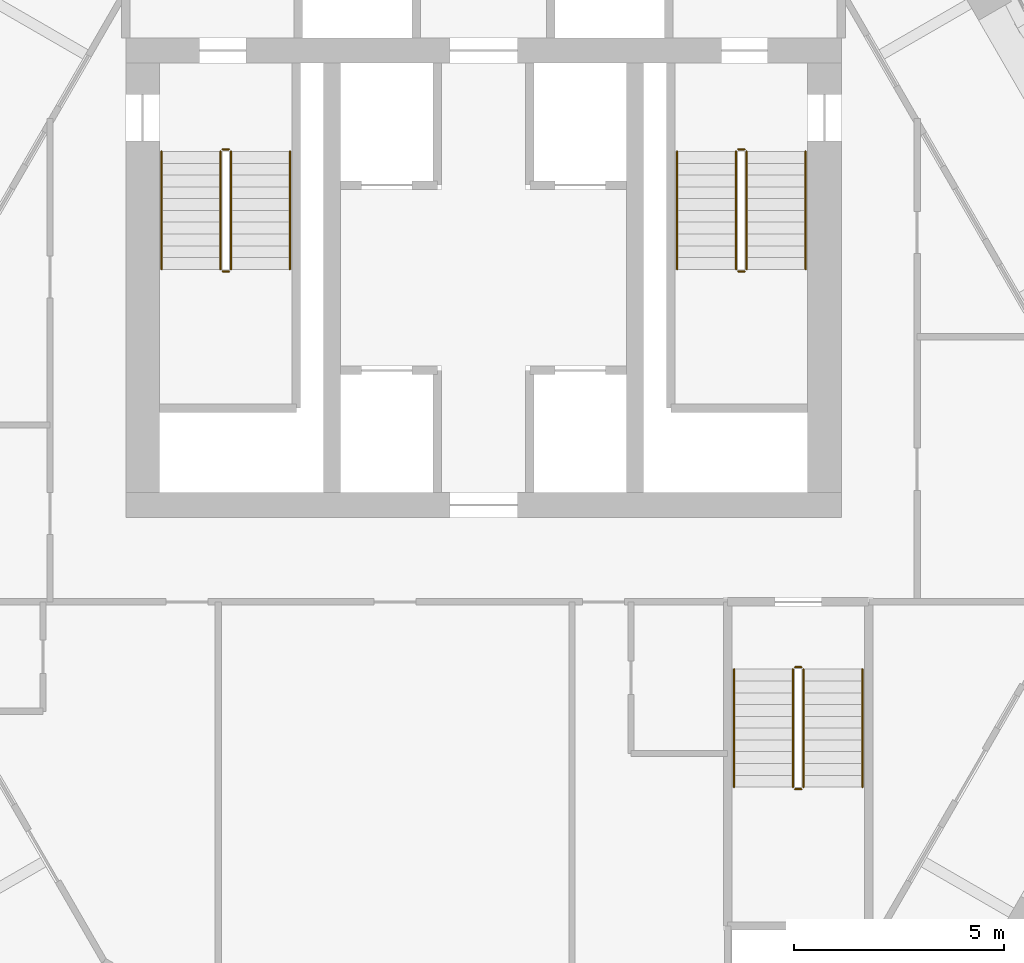
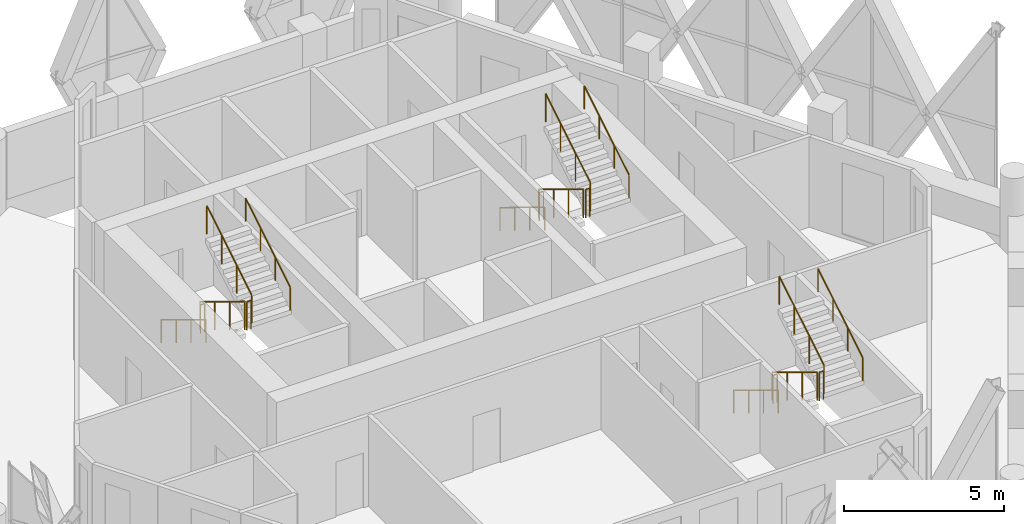
# One storey, part 27 of 27: 18 railings.
"""IFC4 building model written with IfcOpenShell, lengths in metres."""

from ifc_helpers import new_model, si_unit, direction, frame, origin, origin_2d, place, context, subcontext, project, spatial, circle, extrude, material, type_object, element, save


model = new_model("IFC4")

# Units and contexts
model_context = context("Model", 3, precision=1e-05, world=origin(), true_north=direction((0.0, 1.0)))
body_context = subcontext(model_context, "Body", "Model", "MODEL_VIEW")
ifc_project = project(units=[si_unit("LENGTHUNIT", "METRE"), si_unit("AREAUNIT", "SQUARE_METRE"), si_unit("VOLUMEUNIT", "CUBIC_METRE"), si_unit("PLANEANGLEUNIT", "RADIAN"), si_unit("MASSUNIT", "GRAM", prefix="KILO")], contexts=[model_context])

# Site, building, storey
site_placement = place(None, origin())
site = spatial("IfcSite", under=ifc_project, at=site_placement, CompositionType="ELEMENT")
building_placement = place(site_placement, origin())
building = spatial("IfcBuilding", under=site, at=building_placement, Name="Ostrander Bayou Hotel Tower", CompositionType="ELEMENT")
storey_placement = place(building_placement, frame((0.0, 0.0, 267.5)))
storey = spatial("IfcBuildingStorey", under=building, at=storey_placement, Name="L66", CompositionType="ELEMENT", Elevation=267.5)

# Railings
ifc_material_1 = material(Name="Steel ASTM A500 Gr C", Category="steel")
railing_type_1 = type_object("IfcRailingType", Name="GR1 stair guard 1100 mm steel", PredefinedType="GUARDRAIL", material=ifc_material_1)
railing_1_placement = place(storey_placement, frame((-6.25, 7.0, 0.17041015625)))
element("IfcRailing", 1, at=railing_1_placement, inside=storey, type_object=railing_type_1, Name="L66 STA stair guard 1", PredefinedType="GUARDRAIL", context=body_context, shape_type="SweptSolid", body=[
    extrude(circle(Radius=0.02392578125, at=origin_2d()), frame((0.0, 0.0, 1.076171875), z_axis=(0.0, -0.854169791009, 0.51999420009), x_axis=(1.0, 0.0, 0.0)), (0.0, 0.0, 1.0), 3.278076171875),
    extrude(circle(Radius=0.02099609375, at=origin_2d()), origin(), (0.0, 0.0, 1.0), 1.052001953125),
    extrude(circle(Radius=0.02099609375, at=origin_2d()), frame((0.0, -0.933349609375, 0.568115234375)), (0.0, 0.0, 1.0), 1.052001953125),
    extrude(circle(Radius=0.02099609375, at=origin_2d()), frame((0.0, -1.86669921875, 1.136474609375)), (0.0, 0.0, 1.0), 1.052001953125),
    extrude(circle(Radius=0.02099609375, at=origin_2d()), frame((0.0, -2.800048828125, 1.70458984375)), (0.0, 0.0, 1.0), 1.052001953125),
])
railing_2_placement = place(storey_placement, frame((-6.199951171875, 4.14990234375, 1.875)))
element("IfcRailing", 2, at=railing_2_placement, inside=storey, type_object=railing_type_1, Name="L66 STA stair guard 2", PredefinedType="GUARDRAIL", context=body_context, shape_type="SweptSolid", body=[
    extrude(circle(Radius=0.02392578125, at=origin_2d()), frame((0.0, 0.0, 1.076171875), z_axis=(1.0, 0.0, 0.0), x_axis=(0.0, 1.0, 0.0)), (0.0, 0.0, 1.0), 0.14990234375),
    extrude(circle(Radius=0.02099609375, at=origin_2d()), origin(), (0.0, 0.0, 1.0), 1.052001953125),
    extrude(circle(Radius=0.02099609375, at=origin_2d()), frame((0.14990234375, 0.0, 0.0)), (0.0, 0.0, 1.0), 1.052001953125),
])
railing_3_placement = place(storey_placement, frame((-6.0, 4.199951171875, 2.04541015625)))
element("IfcRailing", 3, at=railing_3_placement, inside=storey, type_object=railing_type_1, Name="L66 STA stair guard 3", PredefinedType="GUARDRAIL", context=body_context, shape_type="SweptSolid", body=[
    extrude(circle(Radius=0.02392578125, at=origin_2d()), frame((0.0, 0.0, 1.076171875), z_axis=(0.0, 0.854169791009, 0.51999420009), x_axis=(-1.0, 0.0, 0.0)), (0.0, 0.0, 1.0), 3.278076171875),
    extrude(circle(Radius=0.02099609375, at=origin_2d()), origin(), (0.0, 0.0, 1.0), 1.052001953125),
    extrude(circle(Radius=0.02099609375, at=origin_2d()), frame((0.0, 0.933349609375, 0.568115234375)), (0.0, 0.0, 1.0), 1.052001953125),
    extrude(circle(Radius=0.02099609375, at=origin_2d()), frame((0.0, 1.86669921875, 1.136474609375)), (0.0, 0.0, 1.0), 1.052001953125),
    extrude(circle(Radius=0.02099609375, at=origin_2d()), frame((0.0, 2.800048828125, 1.70458984375)), (0.0, 0.0, 1.0), 1.052001953125),
])
railing_4_placement = place(storey_placement, frame((-6.199951171875, 7.050048828125, 0.0)))
element("IfcRailing", 4, at=railing_4_placement, inside=storey, type_object=railing_type_1, Name="L66 STA stair guard 4", PredefinedType="GUARDRAIL", context=body_context, shape_type="SweptSolid", body=[
    extrude(circle(Radius=0.02392578125, at=origin_2d()), frame((0.0, 0.0, 1.076171875), z_axis=(1.0, 0.0, 0.0), x_axis=(0.0, 1.0, 0.0)), (0.0, 0.0, 1.0), 0.14990234375),
    extrude(circle(Radius=0.02099609375, at=origin_2d()), origin(), (0.0, 0.0, 1.0), 1.052001953125),
    extrude(circle(Radius=0.02099609375, at=origin_2d()), frame((0.14990234375, 0.0, 0.0)), (0.0, 0.0, 1.0), 1.052001953125),
])
railing_5_placement = place(storey_placement, frame((6.0, 7.0, 0.17041015625)))
element("IfcRailing", 5, at=railing_5_placement, inside=storey, type_object=railing_type_1, Name="L66 STB stair guard 1", PredefinedType="GUARDRAIL", context=body_context, shape_type="SweptSolid", body=[
    extrude(circle(Radius=0.02392578125, at=origin_2d()), frame((0.0, 0.0, 1.076171875), z_axis=(0.0, -0.854169791009, 0.51999420009), x_axis=(1.0, 0.0, 0.0)), (0.0, 0.0, 1.0), 3.278076171875),
    extrude(circle(Radius=0.02099609375, at=origin_2d()), origin(), (0.0, 0.0, 1.0), 1.052001953125),
    extrude(circle(Radius=0.02099609375, at=origin_2d()), frame((0.0, -0.933349609375, 0.568115234375)), (0.0, 0.0, 1.0), 1.052001953125),
    extrude(circle(Radius=0.02099609375, at=origin_2d()), frame((0.0, -1.86669921875, 1.136474609375)), (0.0, 0.0, 1.0), 1.052001953125),
    extrude(circle(Radius=0.02099609375, at=origin_2d()), frame((0.0, -2.800048828125, 1.70458984375)), (0.0, 0.0, 1.0), 1.052001953125),
])
railing_6_placement = place(storey_placement, frame((6.050048828125, 4.14990234375, 1.875)))
element("IfcRailing", 6, at=railing_6_placement, inside=storey, type_object=railing_type_1, Name="L66 STB stair guard 2", PredefinedType="GUARDRAIL", context=body_context, shape_type="SweptSolid", body=[
    extrude(circle(Radius=0.02392578125, at=origin_2d()), frame((0.0, 0.0, 1.076171875), z_axis=(1.0, 0.0, 0.0), x_axis=(0.0, 1.0, 0.0)), (0.0, 0.0, 1.0), 0.14990234375),
    extrude(circle(Radius=0.02099609375, at=origin_2d()), origin(), (0.0, 0.0, 1.0), 1.052001953125),
    extrude(circle(Radius=0.02099609375, at=origin_2d()), frame((0.14990234375, 0.0, 0.0)), (0.0, 0.0, 1.0), 1.052001953125),
])
railing_7_placement = place(storey_placement, frame((6.25, 4.199951171875, 2.04541015625)))
element("IfcRailing", 7, at=railing_7_placement, inside=storey, type_object=railing_type_1, Name="L66 STB stair guard 3", PredefinedType="GUARDRAIL", context=body_context, shape_type="SweptSolid", body=[
    extrude(circle(Radius=0.02392578125, at=origin_2d()), frame((0.0, 0.0, 1.076171875), z_axis=(0.0, 0.854169791009, 0.51999420009), x_axis=(-1.0, 0.0, 0.0)), (0.0, 0.0, 1.0), 3.278076171875),
    extrude(circle(Radius=0.02099609375, at=origin_2d()), origin(), (0.0, 0.0, 1.0), 1.052001953125),
    extrude(circle(Radius=0.02099609375, at=origin_2d()), frame((0.0, 0.933349609375, 0.568115234375)), (0.0, 0.0, 1.0), 1.052001953125),
    extrude(circle(Radius=0.02099609375, at=origin_2d()), frame((0.0, 1.86669921875, 1.136474609375)), (0.0, 0.0, 1.0), 1.052001953125),
    extrude(circle(Radius=0.02099609375, at=origin_2d()), frame((0.0, 2.800048828125, 1.70458984375)), (0.0, 0.0, 1.0), 1.052001953125),
])
railing_8_placement = place(storey_placement, frame((6.050048828125, 7.050048828125, 0.0)))
element("IfcRailing", 8, at=railing_8_placement, inside=storey, type_object=railing_type_1, Name="L66 STB stair guard 4", PredefinedType="GUARDRAIL", context=body_context, shape_type="SweptSolid", body=[
    extrude(circle(Radius=0.02392578125, at=origin_2d()), frame((0.0, 0.0, 1.076171875), z_axis=(1.0, 0.0, 0.0), x_axis=(0.0, 1.0, 0.0)), (0.0, 0.0, 1.0), 0.14990234375),
    extrude(circle(Radius=0.02099609375, at=origin_2d()), origin(), (0.0, 0.0, 1.0), 1.052001953125),
    extrude(circle(Radius=0.02099609375, at=origin_2d()), frame((0.14990234375, 0.0, 0.0)), (0.0, 0.0, 1.0), 1.052001953125),
])
railing_9_placement = place(storey_placement, frame((7.35009765625, -5.300048828125, 0.17041015625)))
element("IfcRailing", 9, at=railing_9_placement, inside=storey, type_object=railing_type_1, Name="L66 STC stair guard 1", PredefinedType="GUARDRAIL", context=body_context, shape_type="SweptSolid", body=[
    extrude(circle(Radius=0.02392578125, at=origin_2d()), frame((0.0, 0.0, 1.076171875), z_axis=(0.0, -0.854169791009, 0.51999420009), x_axis=(1.0, 0.0, 0.0)), (0.0, 0.0, 1.0), 3.278076171875),
    extrude(circle(Radius=0.02099609375, at=origin_2d()), origin(), (0.0, 0.0, 1.0), 1.052001953125),
    extrude(circle(Radius=0.02099609375, at=origin_2d()), frame((0.0, -0.933349609375, 0.568115234375)), (0.0, 0.0, 1.0), 1.052001953125),
    extrude(circle(Radius=0.02099609375, at=origin_2d()), frame((0.0, -1.86669921875, 1.136474609375)), (0.0, 0.0, 1.0), 1.052001953125),
    extrude(circle(Radius=0.02099609375, at=origin_2d()), frame((0.0, -2.800048828125, 1.70458984375)), (0.0, 0.0, 1.0), 1.052001953125),
])
railing_10_placement = place(storey_placement, frame((7.39990234375, -8.14990234375, 1.875)))
element("IfcRailing", 10, at=railing_10_placement, inside=storey, type_object=railing_type_1, Name="L66 STC stair guard 2", PredefinedType="GUARDRAIL", context=body_context, shape_type="SweptSolid", body=[
    extrude(circle(Radius=0.02392578125, at=origin_2d()), frame((0.0, 0.0, 1.076171875), z_axis=(1.0, 0.0, 0.0), x_axis=(0.0, 1.0, 0.0)), (0.0, 0.0, 1.0), 0.150146484375),
    extrude(circle(Radius=0.02099609375, at=origin_2d()), origin(), (0.0, 0.0, 1.0), 1.052001953125),
    extrude(circle(Radius=0.02099609375, at=origin_2d()), frame((0.150146484375, 0.0, 0.0)), (0.0, 0.0, 1.0), 1.052001953125),
])
railing_11_placement = place(storey_placement, frame((7.60009765625, -8.10009765625, 2.04541015625)))
element("IfcRailing", 11, at=railing_11_placement, inside=storey, type_object=railing_type_1, Name="L66 STC stair guard 3", PredefinedType="GUARDRAIL", context=body_context, shape_type="SweptSolid", body=[
    extrude(circle(Radius=0.02392578125, at=origin_2d()), frame((0.0, 0.0, 1.076171875), z_axis=(0.0, 0.854169791009, 0.51999420009), x_axis=(-1.0, 0.0, 0.0)), (0.0, 0.0, 1.0), 3.278076171875),
    extrude(circle(Radius=0.02099609375, at=origin_2d()), origin(), (0.0, 0.0, 1.0), 1.052001953125),
    extrude(circle(Radius=0.02099609375, at=origin_2d()), frame((0.0, 0.933349609375, 0.568115234375)), (0.0, 0.0, 1.0), 1.052001953125),
    extrude(circle(Radius=0.02099609375, at=origin_2d()), frame((0.0, 1.86669921875, 1.136474609375)), (0.0, 0.0, 1.0), 1.052001953125),
    extrude(circle(Radius=0.02099609375, at=origin_2d()), frame((0.0, 2.800048828125, 1.70458984375)), (0.0, 0.0, 1.0), 1.052001953125),
])
railing_12_placement = place(storey_placement, frame((7.39990234375, -5.25, 0.0)))
element("IfcRailing", 12, at=railing_12_placement, inside=storey, type_object=railing_type_1, Name="L66 STC stair guard 4", PredefinedType="GUARDRAIL", context=body_context, shape_type="SweptSolid", body=[
    extrude(circle(Radius=0.02392578125, at=origin_2d()), frame((0.0, 0.0, 1.076171875), z_axis=(1.0, 0.0, 0.0), x_axis=(0.0, 1.0, 0.0)), (0.0, 0.0, 1.0), 0.150146484375),
    extrude(circle(Radius=0.02099609375, at=origin_2d()), origin(), (0.0, 0.0, 1.0), 1.052001953125),
    extrude(circle(Radius=0.02099609375, at=origin_2d()), frame((0.150146484375, 0.0, 0.0)), (0.0, 0.0, 1.0), 1.052001953125),
])
ifc_material_2 = material(Name="Steel ASTM A500 Gr C", Category="steel")
railing_type_2 = type_object("IfcRailingType", Name="HR1 stair handrail 900 mm steel", PredefinedType="HANDRAIL", material=ifc_material_2)
railing_13_placement = place(storey_placement, frame((-7.64990234375, 7.0, 0.17041015625)))
element("IfcRailing", 13, at=railing_13_placement, inside=storey, type_object=railing_type_2, Name="L66 STA stair handrail 1", PredefinedType="HANDRAIL", context=body_context, shape_type="SweptSolid", body=[
    extrude(circle(Radius=0.02392578125, at=origin_2d()), frame((0.0, 0.0, 0.8759765625), z_axis=(0.0, -0.854169791009, 0.51999420009), x_axis=(1.0, 0.0, 0.0)), (0.0, 0.0, 1.0), 3.278076171875),
    extrude(circle(Radius=0.02099609375, at=origin_2d()), origin(), (0.0, 0.0, 1.0), 0.851806640625),
    extrude(circle(Radius=0.02099609375, at=origin_2d()), frame((0.0, -0.933349609375, 0.568115234375)), (0.0, 0.0, 1.0), 0.851806640625),
    extrude(circle(Radius=0.02099609375, at=origin_2d()), frame((0.0, -1.86669921875, 1.136474609375)), (0.0, 0.0, 1.0), 0.851806640625),
    extrude(circle(Radius=0.02099609375, at=origin_2d()), frame((0.0, -2.800048828125, 1.70458984375)), (0.0, 0.0, 1.0), 0.851806640625),
])
railing_14_placement = place(storey_placement, frame((-4.60009765625, 4.199951171875, 2.04541015625)))
element("IfcRailing", 14, at=railing_14_placement, inside=storey, type_object=railing_type_2, Name="L66 STA stair handrail 2", PredefinedType="HANDRAIL", context=body_context, shape_type="SweptSolid", body=[
    extrude(circle(Radius=0.02392578125, at=origin_2d()), frame((0.0, 0.0, 0.8759765625), z_axis=(0.0, 0.854169791009, 0.51999420009), x_axis=(-1.0, 0.0, 0.0)), (0.0, 0.0, 1.0), 3.278076171875),
    extrude(circle(Radius=0.02099609375, at=origin_2d()), origin(), (0.0, 0.0, 1.0), 0.851806640625),
    extrude(circle(Radius=0.02099609375, at=origin_2d()), frame((0.0, 0.933349609375, 0.568115234375)), (0.0, 0.0, 1.0), 0.851806640625),
    extrude(circle(Radius=0.02099609375, at=origin_2d()), frame((0.0, 1.86669921875, 1.136474609375)), (0.0, 0.0, 1.0), 0.851806640625),
    extrude(circle(Radius=0.02099609375, at=origin_2d()), frame((0.0, 2.800048828125, 1.70458984375)), (0.0, 0.0, 1.0), 0.851806640625),
])
railing_15_placement = place(storey_placement, frame((4.60009765625, 7.0, 0.17041015625)))
element("IfcRailing", 15, at=railing_15_placement, inside=storey, type_object=railing_type_2, Name="L66 STB stair handrail 1", PredefinedType="HANDRAIL", context=body_context, shape_type="SweptSolid", body=[
    extrude(circle(Radius=0.02392578125, at=origin_2d()), frame((0.0, 0.0, 0.8759765625), z_axis=(0.0, -0.854169791009, 0.51999420009), x_axis=(1.0, 0.0, 0.0)), (0.0, 0.0, 1.0), 3.278076171875),
    extrude(circle(Radius=0.02099609375, at=origin_2d()), origin(), (0.0, 0.0, 1.0), 0.851806640625),
    extrude(circle(Radius=0.02099609375, at=origin_2d()), frame((0.0, -0.933349609375, 0.568115234375)), (0.0, 0.0, 1.0), 0.851806640625),
    extrude(circle(Radius=0.02099609375, at=origin_2d()), frame((0.0, -1.86669921875, 1.136474609375)), (0.0, 0.0, 1.0), 0.851806640625),
    extrude(circle(Radius=0.02099609375, at=origin_2d()), frame((0.0, -2.800048828125, 1.70458984375)), (0.0, 0.0, 1.0), 0.851806640625),
])
railing_16_placement = place(storey_placement, frame((7.64990234375, 4.199951171875, 2.04541015625)))
element("IfcRailing", 16, at=railing_16_placement, inside=storey, type_object=railing_type_2, Name="L66 STB stair handrail 2", PredefinedType="HANDRAIL", context=body_context, shape_type="SweptSolid", body=[
    extrude(circle(Radius=0.02392578125, at=origin_2d()), frame((0.0, 0.0, 0.8759765625), z_axis=(0.0, 0.854169791009, 0.51999420009), x_axis=(-1.0, 0.0, 0.0)), (0.0, 0.0, 1.0), 3.278076171875),
    extrude(circle(Radius=0.02099609375, at=origin_2d()), origin(), (0.0, 0.0, 1.0), 0.851806640625),
    extrude(circle(Radius=0.02099609375, at=origin_2d()), frame((0.0, 0.933349609375, 0.568115234375)), (0.0, 0.0, 1.0), 0.851806640625),
    extrude(circle(Radius=0.02099609375, at=origin_2d()), frame((0.0, 1.86669921875, 1.136474609375)), (0.0, 0.0, 1.0), 0.851806640625),
    extrude(circle(Radius=0.02099609375, at=origin_2d()), frame((0.0, 2.800048828125, 1.70458984375)), (0.0, 0.0, 1.0), 0.851806640625),
])
railing_17_placement = place(storey_placement, frame((5.949951171875, -5.300048828125, 0.17041015625)))
element("IfcRailing", 17, at=railing_17_placement, inside=storey, type_object=railing_type_2, Name="L66 STC stair handrail 1", PredefinedType="HANDRAIL", context=body_context, shape_type="SweptSolid", body=[
    extrude(circle(Radius=0.02392578125, at=origin_2d()), frame((0.0, 0.0, 0.8759765625), z_axis=(0.0, -0.854169791009, 0.51999420009), x_axis=(1.0, 0.0, 0.0)), (0.0, 0.0, 1.0), 3.278076171875),
    extrude(circle(Radius=0.02099609375, at=origin_2d()), origin(), (0.0, 0.0, 1.0), 0.851806640625),
    extrude(circle(Radius=0.02099609375, at=origin_2d()), frame((0.0, -0.933349609375, 0.568115234375)), (0.0, 0.0, 1.0), 0.851806640625),
    extrude(circle(Radius=0.02099609375, at=origin_2d()), frame((0.0, -1.86669921875, 1.136474609375)), (0.0, 0.0, 1.0), 0.851806640625),
    extrude(circle(Radius=0.02099609375, at=origin_2d()), frame((0.0, -2.800048828125, 1.70458984375)), (0.0, 0.0, 1.0), 0.851806640625),
])
railing_18_placement = place(storey_placement, frame((9.0, -8.10009765625, 2.04541015625)))
element("IfcRailing", 18, at=railing_18_placement, inside=storey, type_object=railing_type_2, Name="L66 STC stair handrail 2", PredefinedType="HANDRAIL", context=body_context, shape_type="SweptSolid", body=[
    extrude(circle(Radius=0.02392578125, at=origin_2d()), frame((0.0, 0.0, 0.8759765625), z_axis=(0.0, 0.854169791009, 0.51999420009), x_axis=(-1.0, 0.0, 0.0)), (0.0, 0.0, 1.0), 3.278076171875),
    extrude(circle(Radius=0.02099609375, at=origin_2d()), origin(), (0.0, 0.0, 1.0), 0.851806640625),
    extrude(circle(Radius=0.02099609375, at=origin_2d()), frame((0.0, 0.933349609375, 0.568115234375)), (0.0, 0.0, 1.0), 0.851806640625),
    extrude(circle(Radius=0.02099609375, at=origin_2d()), frame((0.0, 1.86669921875, 1.136474609375)), (0.0, 0.0, 1.0), 0.851806640625),
    extrude(circle(Radius=0.02099609375, at=origin_2d()), frame((0.0, 2.800048828125, 1.70458984375)), (0.0, 0.0, 1.0), 0.851806640625),
])

save(model, "model.ifc")
